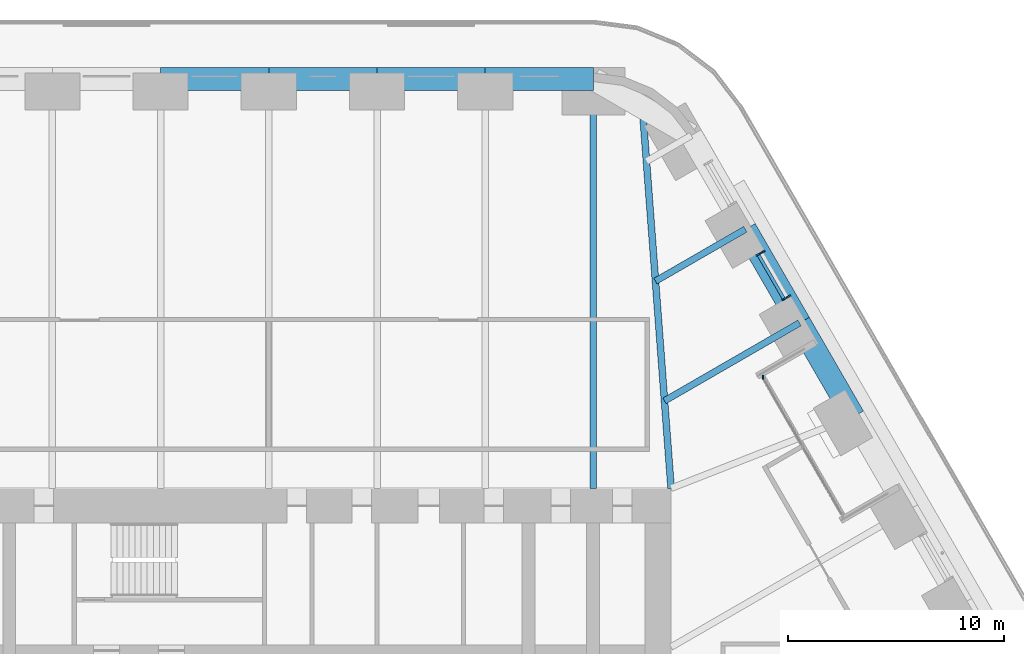
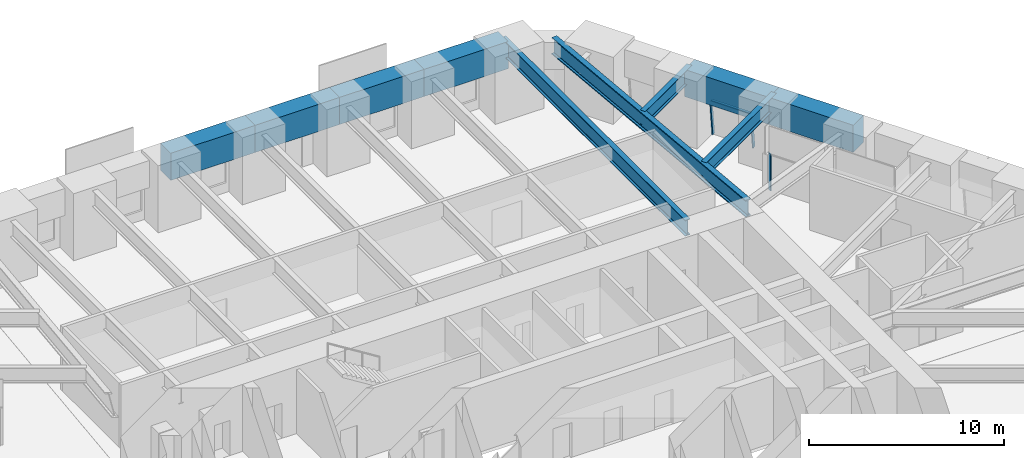
# One storey, part 12 of 24: 10 beams, 4 members, 2 elements without a shape of their own.
"""IFC4 building model written with IfcOpenShell, lengths in metres."""

from ifc_helpers import new_model, si_unit, direction, frame, origin, origin_2d, place, context, subcontext, project, spatial, rectangle, i_section, extrude, material, material_profile, profile_set, type_object, element, aggregate, save


model = new_model("IFC4")

# Units and contexts
model_context = context("Model", 3, precision=1e-05, world=origin(), true_north=direction((0.0, 1.0)))
body_context = subcontext(model_context, "Body", "Model", "MODEL_VIEW")
ifc_project = project(units=[si_unit("LENGTHUNIT", "METRE"), si_unit("AREAUNIT", "SQUARE_METRE"), si_unit("VOLUMEUNIT", "CUBIC_METRE"), si_unit("PLANEANGLEUNIT", "RADIAN"), si_unit("MASSUNIT", "GRAM", prefix="KILO")], contexts=[model_context])

# Site, building, storey
site_placement = place(None, origin())
site = spatial("IfcSite", under=ifc_project, at=site_placement, CompositionType="ELEMENT")
building_placement = place(site_placement, origin())
building = spatial("IfcBuilding", under=site, at=building_placement, Name="Tarfa Lantern Tower", CompositionType="ELEMENT")
storey_placement = place(building_placement, frame((0.0, 0.0, 119.5)))
storey = spatial("IfcBuildingStorey", under=building, at=storey_placement, Name="L26", CompositionType="ELEMENT", Elevation=119.5)

# Curtain wall, members
ifc_material_1 = material(Name="Aluminium framed curtain wall", Category="aluminium")
curtain_wall_type_1 = type_object("IfcCurtainWallType", Name="CW2 CANTED GLAZING MID ZONE 2300", PredefinedType="USERDEFINED", material=ifc_material_1)
curtain_wall_1_placement = place(storey_placement, origin())
curtain_wall_1 = element("IfcCurtainWall", 1, at=curtain_wall_1_placement, inside=storey, type_object=curtain_wall_type_1, Name="CW2 NEB L26", ObjectType="CURTAIN WALL", PredefinedType="USERDEFINED")
ifc_material_2 = material(Name="Aluminium mullion", Category="aluminium")
ifc_material_profile_1 = material_profile(ifc_material_2, rectangle(XDim=0.06494140625, YDim=0.199951171875, at=origin_2d()), Name="AL MULLION 65x200")
ifc_profile_set_1 = profile_set([ifc_material_profile_1], Name="Aluminium mullion")
member_type_1 = type_object("IfcMemberType", Name="CWM1 MULLION 65x200", PredefinedType="MULLION", material=ifc_profile_set_1)
member_1_placement = place(storey_placement, frame((24.03759765625, 21.165771484375, 0.0), z_axis=(-0.093599904765, -0.0540283554, 0.994142844183), x_axis=(0.499919672301, -0.866071776036, 0.0)))
member_1 = element("IfcMember", 2, at=member_1_placement, type_object=member_type_1, Name="CW2 mullion 1", PredefinedType="MULLION", context=body_context, shape_type="SweptSolid", body=[
    extrude(rectangle(XDim=0.06494140625, YDim=0.199951171875, at=origin_2d()), origin(), (0.0, 0.0, 1.0), 2.313720703125),
])
member_2_placement = place(storey_placement, frame((22.84326171875, 23.234375, 0.0), z_axis=(-0.093599904765, -0.0540283554, 0.994142844183), x_axis=(0.499919672301, -0.866071776036, 0.0)))
member_2 = element("IfcMember", 3, at=member_2_placement, type_object=member_type_1, Name="CW2 mullion 2", PredefinedType="MULLION", context=body_context, shape_type="SweptSolid", body=[
    extrude(rectangle(XDim=0.06494140625, YDim=0.199951171875, at=origin_2d()), origin(), (0.0, 0.0, 1.0), 2.313720703125),
])

# Curtain wall, member
curtain_wall_type_2 = type_object("IfcCurtainWallType", Name="CW10 LOGGIA GLAZING 2300", PredefinedType="USERDEFINED", material=ifc_material_1)
curtain_wall_2_placement = place(storey_placement, origin())
curtain_wall_2 = element("IfcCurtainWall", 4, at=curtain_wall_2_placement, inside=storey, type_object=curtain_wall_type_2, Name="CW10 NEL L26", ObjectType="CURTAIN WALL", PredefinedType="USERDEFINED")
member_3_placement = place(storey_placement, frame((22.84619140625, 17.429443359375, 0.0), z_axis=(0.0, 0.0, 1.0), x_axis=(1.0, 0.0, 0.0)))
member_3 = element("IfcMember", 5, at=member_3_placement, type_object=member_type_1, Name="CW10 mullion 3", PredefinedType="MULLION", context=body_context, shape_type="SweptSolid", body=[
    extrude(rectangle(XDim=0.06494140625, YDim=0.199951171875, at=origin_2d()), origin(), (0.0, 0.0, 1.0), 2.300048828125),
])
aggregate(curtain_wall_2, [member_3])

# Member
ifc_material_3 = material(Name="Aluminium transom", Category="aluminium")
ifc_material_profile_2 = material_profile(ifc_material_3, rectangle(XDim=0.14990234375, YDim=0.06494140625, at=origin_2d()), Name="AL TRANSOM 150x65")
ifc_profile_set_2 = profile_set([ifc_material_profile_2], Name="Aluminium transom")
member_type_2 = type_object("IfcMemberType", Name="CWT1 TRANSOM 150x65", PredefinedType="USERDEFINED", material=ifc_profile_set_2)
member_4_placement = place(storey_placement, frame((23.807861328125, 21.070556640625, 2.267578125), z_axis=(-0.499992256698, 0.866029874336, 0.0), x_axis=(-0.866029874336, -0.499992256698, 0.0)))
member_4 = element("IfcMember", 6, at=member_4_placement, type_object=member_type_2, Name="CW2 transom 1.2", ObjectType="TRANSOM", PredefinedType="USERDEFINED", context=body_context, shape_type="SweptSolid", body=[
    extrude(rectangle(XDim=0.14990234375, YDim=0.06494140625, at=origin_2d()), origin(), (0.0, 0.0, 1.0), 2.32373046875),
])

aggregate(curtain_wall_1, [member_1, member_2, member_4])

# Beams
ifc_material_4 = material(Name="Concrete C80/95", Category="concrete")
ifc_material_profile_3 = material_profile(ifc_material_4, rectangle(XDim=1.050048828125, YDim=1.699951171875, at=origin_2d()), Name="RC 1050x1700")
ifc_profile_set_3 = profile_set([ifc_material_profile_3], Name="Concrete C80/95")
beam_type_1 = type_object("IfcBeamType", Name="RB2 RC 1050x1700", PredefinedType="BEAM", material=ifc_profile_set_3)
for number, where, z_axis, x_axis, name in (
    (7, (27.037353515625, 15.610107421875, 3.14990234375), (-0.500022324899, 0.866012514114, 0.0), (-0.866012514114, -0.500022324899, 0.0), "Edge beam NE3"),
    (8, (24.535400390625, 19.943359375, 3.14990234375), (-0.49998573051, 0.866033642122, 0.0), (-0.866033642122, -0.49998573051, 0.0), "Edge beam NE4"),
    (9, (15.010986328125, 31.219970703125, 3.14990234375), (-1.0, 0.0, 0.0), (0.0, -1.0, 0.0), "Edge beam N0"),
    (10, (10.00732421875, 31.219970703125, 3.14990234375), (-1.0, 0.0, 0.0), (0.0, -1.0, 0.0), "Edge beam N1"),
    (11, (5.003662109375, 31.219970703125, 3.14990234375), (-1.0, 0.0, 0.0), (0.0, -1.0, 0.0), "Edge beam N2"),
    (12, (0.0, 31.219970703125, 3.14990234375), (-1.0, 0.0, 0.0), (0.0, -1.0, 0.0), "Edge beam N3"),
):
    element("IfcBeam", number, at=place(storey_placement, frame(where, z_axis=z_axis, x_axis=x_axis)), inside=storey, type_object=beam_type_1, Name=name, PredefinedType="BEAM", context=body_context, shape_type="SweptSolid", body=[
        extrude(rectangle(XDim=1.050048828125, YDim=1.699951171875, at=origin_2d()), origin(), (0.0, 0.0, 1.0), 5.003662109375),
    ])
ifc_material_5 = material(Name="Steel S460M", Category="steel")
ifc_material_profile_4 = material_profile(ifc_material_5, i_section(OverallWidth=0.302001953125, OverallDepth=1.008056640625, WebThickness=0.02099609375, FlangeThickness=0.0400390625, FilletRadius=0.030029296875, at=origin_2d()), Name="UB1016x305x349")
ifc_profile_set_4 = profile_set([ifc_material_profile_4], Name="Steel S460M")
beam_type_2 = type_object("IfcBeamType", Name="UB1016x305x349", PredefinedType="BEAM", material=ifc_profile_set_4)
beam_1_placement = place(storey_placement, frame((15.010986328125, 31.219970703125, 3.495849609375), z_axis=(0.0, -1.0, 0.0), x_axis=(1.0, 0.0, 0.0)))
element("IfcBeam", 13, at=beam_1_placement, inside=storey, type_object=beam_type_2, Name="Floor beam N0", PredefinedType="BEAM", context=body_context, shape_type="SweptSolid", body=[
    extrude(i_section(OverallWidth=0.302001953125, OverallDepth=1.008056640625, WebThickness=0.02099609375, FlangeThickness=0.0400390625, FilletRadius=0.030029296875, at=origin_2d()), origin(), (0.0, 0.0, 1.0), 18.919921875),
])
ifc_material_profile_5 = material_profile(ifc_material_5, i_section(OverallWidth=0.314208984375, OverallDepth=1.055908203125, WebThickness=0.035888671875, FlangeThickness=0.06396484375, FilletRadius=0.030029296875, at=origin_2d()), Name="UB1016x305x584")
ifc_profile_set_5 = profile_set([ifc_material_profile_5], Name="Steel S460M")
beam_type_3 = type_object("IfcBeamType", Name="UB1016x305x584", PredefinedType="BEAM", material=ifc_profile_set_5)
beam_2_placement = place(storey_placement, frame((18.60009765625, 12.300048828125, 3.471923828125), z_axis=(-0.075211516041, 0.99716760269, 0.0), x_axis=(-0.99716760269, -0.075211516041, 0.0)))
element("IfcBeam", 14, at=beam_2_placement, inside=storey, type_object=beam_type_3, Name="Hip girder NE", PredefinedType="BEAM", context=body_context, shape_type="SweptSolid", body=[
    extrude(i_section(OverallWidth=0.314208984375, OverallDepth=1.055908203125, WebThickness=0.035888671875, FlangeThickness=0.06396484375, FilletRadius=0.030029296875, at=origin_2d()), origin(), (0.0, 0.0, 1.0), 17.6650390625),
])
ifc_material_profile_6 = material_profile(ifc_material_5, i_section(OverallWidth=0.305419921875, OverallDepth=0.91845703125, WebThickness=0.017333984375, FlangeThickness=0.02783203125, FilletRadius=0.01904296875, at=origin_2d()), Name="UB914x305x253")
ifc_profile_set_6 = profile_set([ifc_material_profile_6], Name="Steel S460M")
beam_type_4 = type_object("IfcBeamType", Name="UB914x305x253", PredefinedType="BEAM", material=ifc_profile_set_6)
beam_3_placement = place(storey_placement, frame((24.535400390625, 19.943359375, 3.540771484375), z_axis=(-0.86602647304, -0.499998147991, 0.0), x_axis=(0.499998147991, -0.86602647304, 0.0)))
element("IfcBeam", 15, at=beam_3_placement, inside=storey, type_object=beam_type_4, Name="Floor beam NE4", PredefinedType="BEAM", context=body_context, shape_type="SweptSolid", body=[
    extrude(i_section(OverallWidth=0.305419921875, OverallDepth=0.91845703125, WebThickness=0.017333984375, FlangeThickness=0.02783203125, FilletRadius=0.01904296875, at=origin_2d()), origin(), (0.0, 0.0, 1.0), 7.20556640625),
])
beam_4_placement = place(storey_placement, frame((22.03369140625, 24.276611328125, 3.540771484375), z_axis=(-0.866030550462, -0.499991085587, 0.0), x_axis=(0.499991085587, -0.866030550462, 0.0)))
element("IfcBeam", 16, at=beam_4_placement, inside=storey, type_object=beam_type_4, Name="Floor beam NE5", PredefinedType="BEAM", context=body_context, shape_type="SweptSolid", body=[
    extrude(i_section(OverallWidth=0.305419921875, OverallDepth=0.91845703125, WebThickness=0.017333984375, FlangeThickness=0.02783203125, FilletRadius=0.01904296875, at=origin_2d()), origin(), (0.0, 0.0, 1.0), 4.798828125),
])

save(model, "model.ifc")
